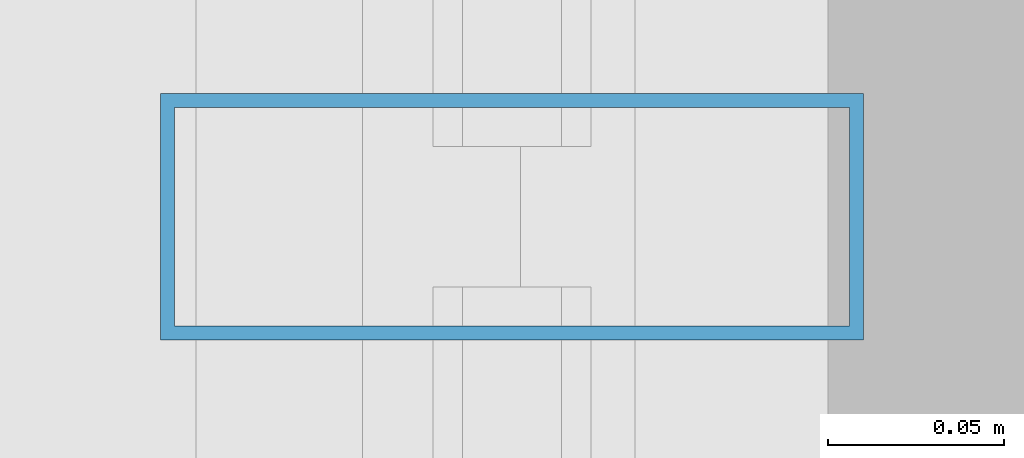
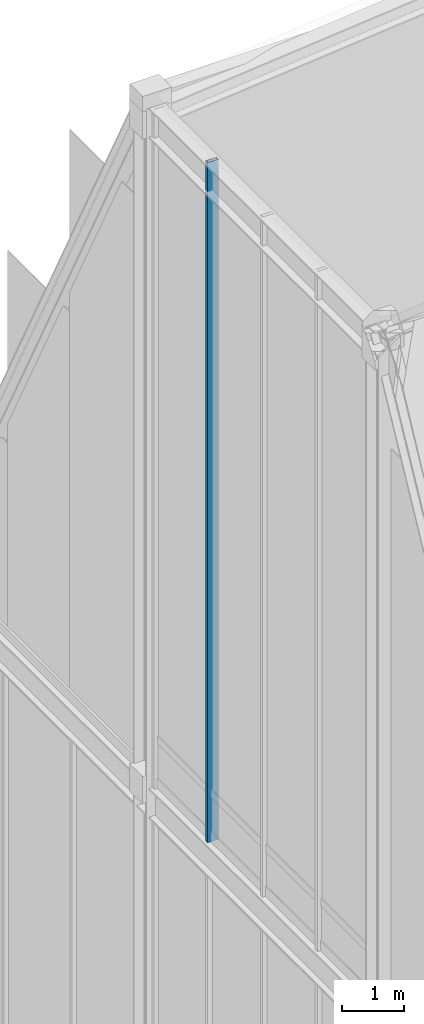
# One storey, part 18 of 49: 1 member, 1 element without a shape of its own.
"""IFC4 building model written with IfcOpenShell, lengths in metres."""

from ifc_helpers import new_model, si_unit, direction, frame, origin, origin_2d, place, context, subcontext, project, spatial, hollow_rectangle, extrude, source, transform, mapped, material, layer, layer_set, material_profile, profile_set, type_object, element, aggregate, save


model = new_model("IFC4")

# Units and contexts
model_context = context("Model", 3, precision=1e-05, world=origin(), true_north=direction((0.0, 1.0)))
body_context = subcontext(model_context, "Body", "Model", "MODEL_VIEW")
ifc_project = project(units=[si_unit("LENGTHUNIT", "METRE"), si_unit("AREAUNIT", "SQUARE_METRE"), si_unit("VOLUMEUNIT", "CUBIC_METRE"), si_unit("PLANEANGLEUNIT", "RADIAN"), si_unit("MASSUNIT", "GRAM", prefix="KILO")], contexts=[model_context])

# Site, building, storey
site_placement = place(None, origin())
site = spatial("IfcSite", under=ifc_project, at=site_placement, CompositionType="ELEMENT")
building_placement = place(site_placement, origin())
building = spatial("IfcBuilding", under=site, at=building_placement, Name="Kaliganga Portal Commons", CompositionType="ELEMENT")
storey_placement = place(building_placement, frame((0.0, 0.0, 298.0)))
storey = spatial("IfcBuildingStorey", under=building, at=storey_placement, Name="L77", CompositionType="ELEMENT", Elevation=298.0)

# Curtain wall, member
ifc_material_1 = material(Name="Anodized Aluminium and Laminated Low-E Glass", Category="aluminium")
ifc_layer = layer(ifc_material_1, 0.25)
ifc_layer_set = layer_set([ifc_layer], Name="Anodized Aluminium and Laminated Low-E Glass")
curtain_wall_type = type_object("IfcCurtainWallType", Name="CW-SYS-06", PredefinedType="NOTDEFINED", material=ifc_layer_set)
curtain_wall_placement = place(storey_placement, origin())
curtain_wall = element("IfcCurtainWall", 1, at=curtain_wall_placement, inside=storey, type_object=curtain_wall_type, Name="CW 06 L77 WU", PredefinedType="NOTDEFINED")
ifc_material_2 = material(Name="Dark Bronze Anodized Aluminium", Category="aluminium")
ifc_material_profile = material_profile(ifc_material_2, hollow_rectangle(XDim=0.070068359375, YDim=0.199951171875, WallThickness=0.00390625, at=origin_2d()), Name="ALU MULL 70x200x4")
ifc_profile_set = profile_set([ifc_material_profile], Name="Dark Bronze Anodized Aluminium")
member_type = type_object("IfcMemberType", Name="CW-MUL-220", PredefinedType="MULLION", material=ifc_profile_set)
shared_shape = source(origin(), body_context, "Body", "SweptSolid", [
    extrude(hollow_rectangle(XDim=0.070068359375, YDim=0.199951171875, WallThickness=0.00390625, at=origin_2d()), origin(), (0.0, 0.0, 1.0), 13.409912109375),
])
member_placement = place(storey_placement, frame((14.39990234375, 34.169921875, 21.0), z_axis=(0.0, 0.0, 1.0), x_axis=(0.0, 1.0, 0.0)))
member = element("IfcMember", 2, at=member_placement, type_object=member_type, Name="CW:06:L77:WU Mullion 03", PredefinedType="MULLION", context=body_context, shape_type="MappedRepresentation", body=[
    mapped(shared_shape, transform((0.0, 0.0, 0.0), x_axis=(1.0, 0.0, 0.0), y_axis=(0.0, 1.0, 0.0), z_axis=(0.0, 0.0, 1.0), scale=1.0)),
])
aggregate(curtain_wall, [member])

save(model, "model.ifc")
